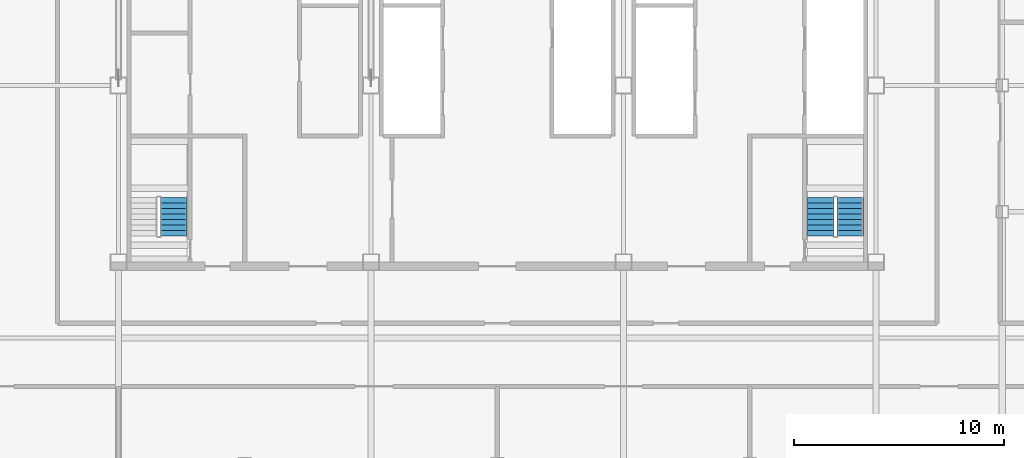
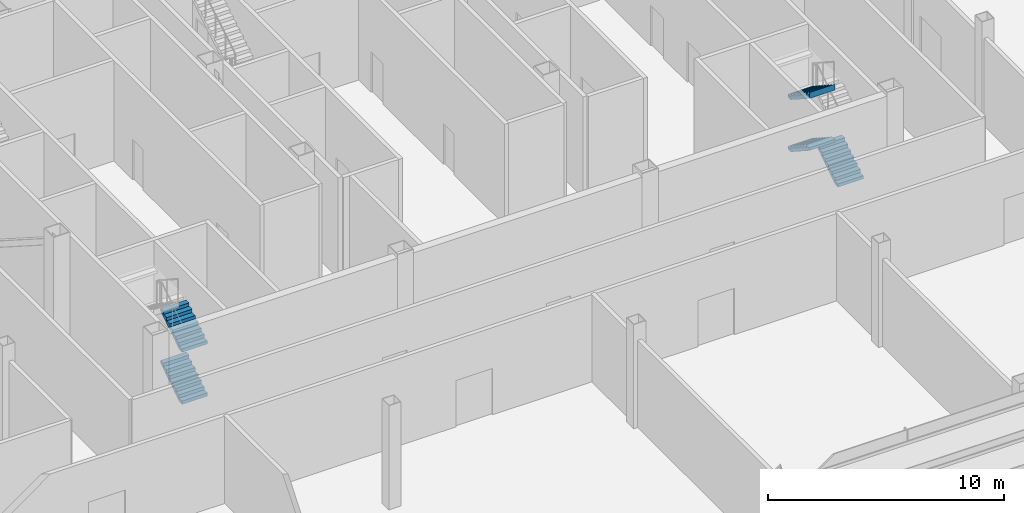
# One storey, part 21 of 25: 5 stair flights, 2 elements without a shape of their own.
"""IFC4 building model written with IfcOpenShell, lengths in metres."""

import ifcopenshell
import ifcopenshell.guid

model = None  # the IFC model being written
_history = None  # IfcOwnerHistory: only IFC2X3 demands one
_inside = {}  # id of a spatial element -> (the spatial element, [elements in it])
_under = {}  # id of a project, library or spatial element -> (it, [spatial elements below it])
_declared = {}  # id of a project -> (the project, [libraries it declares])
_typed = {}  # id of a type object -> (the type object, [elements of that type])
_made_of = {}  # id of a material, layer set ... -> (it, [elements and type objects made of it])


def new_model(schema):
    """Start an empty IFC model of exactly this schema.

    Asked for "IFC4X3", IfcOpenShell would pick the latest addendum, in which some entities
    have other attributes; the version numbers below select the first issue.
    IFC2X3 requires an IfcOwnerHistory on every rooted entity: one is made here for all.
    """
    global model, _history
    if schema == "IFC4X3":
        model = ifcopenshell.file(schema_version=(4, 3, 0, 0))
    else:
        model = ifcopenshell.file(schema=schema)
    _inside.clear()
    _under.clear()
    _declared.clear()
    _typed.clear()
    _made_of.clear()
    _history = None
    if model.schema == "IFC2X3":
        org = make("IfcOrganization", Name="unknown")
        user = make(
            "IfcPersonAndOrganization",
            ThePerson=make("IfcPerson", FamilyName="unknown"),
            TheOrganization=org,
        )
        app = make(
            "IfcApplication",
            ApplicationDeveloper=org,
            Version="unknown",
            ApplicationFullName="unknown",
            ApplicationIdentifier="unknown",
        )
        _history = make(
            "IfcOwnerHistory",
            OwningUser=user,
            OwningApplication=app,
            ChangeAction="ADDED",
            CreationDate=0,
        )
    return model


def make(cls, **values):
    """One entity of the class cls with the attributes given. An attribute that is None is left unset."""
    return model.create_entity(
        cls, **{name: value for name, value in values.items() if value is not None}
    )


def rooted(cls, **values):
    """An entity with a GlobalId (a new one), such as an element, a storey or a relation."""
    return make(cls, GlobalId=ifcopenshell.guid.new(), OwnerHistory=_history, **values)


def si_unit(unit_type, name, prefix=None):
    """IfcSIUnit, for example si_unit("LENGTHUNIT", "METRE", prefix="MILLI")."""
    return make("IfcSIUnit", UnitType=unit_type, Prefix=prefix, Name=name)


def assignment(units):
    """IfcUnitAssignment: the units of a project."""
    return None if units is None else make("IfcUnitAssignment", Units=units)


def point(xyz):
    """IfcCartesianPoint."""
    return None if xyz is None else make("IfcCartesianPoint", Coordinates=xyz)


def direction(xyz):
    """IfcDirection."""
    return None if xyz is None else make("IfcDirection", DirectionRatios=xyz)


def frame(location, z_axis=None, x_axis=None):
    """IfcAxis2Placement3D, a coordinate frame: its origin and axes. An axis left out is left unset."""
    return make(
        "IfcAxis2Placement3D",
        Location=point(location),
        Axis=direction(z_axis),
        RefDirection=direction(x_axis),
    )


def origin():
    """The frame at (0, 0, 0) with its axes left unset."""
    return frame((0.0, 0.0, 0.0))


def place(relative_to, where):
    """IfcLocalPlacement: puts the frame where relative to a parent placement (None: the world)."""
    return make(
        "IfcLocalPlacement", PlacementRelTo=relative_to, RelativePlacement=where
    )


def context(
    kind, dimensions, precision=None, world=None, true_north=None, identifier=None
):
    """IfcGeometricRepresentationContext, for example the 3D "Model" context."""
    return make(
        "IfcGeometricRepresentationContext",
        ContextIdentifier=identifier,
        ContextType=kind,
        CoordinateSpaceDimension=dimensions,
        Precision=precision,
        WorldCoordinateSystem=world,
        TrueNorth=true_north,
    )


def subcontext(parent, identifier, kind, view, scale=None):
    """IfcGeometricRepresentationSubContext, for example "Body" below "Model"."""
    return make(
        "IfcGeometricRepresentationSubContext",
        ContextIdentifier=identifier,
        ContextType=kind,
        ParentContext=parent,
        TargetScale=scale,
        TargetView=view,
    )


def project(units=None, contexts=None):
    """IfcProject with its units and contexts."""
    return rooted(
        "IfcProject",
        Name="project",
        RepresentationContexts=contexts,
        UnitsInContext=assignment(units),
    )


def spatial(cls, under=None, at=None, **own):
    """A site, building, storey or space (cls), placed at a placement, below another one or the project."""
    s = rooted(cls, ObjectPlacement=at, **own)
    if under is not None:
        _under.setdefault(under.id(), (under, []))[1].append(s)
    return s


def polyline(points):
    """IfcPolyline through the points."""
    return make("IfcPolyline", Points=[point(p) for p in points])


def outline(outer, holes=None, kind="AREA"):
    """IfcArbitraryClosedProfileDef: a profile drawn as a closed curve; with holes, ...WithVoids."""
    if holes is None:
        return make("IfcArbitraryClosedProfileDef", ProfileType=kind, OuterCurve=outer)
    return make(
        "IfcArbitraryProfileDefWithVoids",
        ProfileType=kind,
        OuterCurve=outer,
        InnerCurves=holes,
    )


def extrude(swept, where, along, depth):
    """IfcExtrudedAreaSolid: the profile swept, set in the frame where, extruded along a direction by depth."""
    return make(
        "IfcExtrudedAreaSolid",
        SweptArea=swept,
        Position=where,
        ExtrudedDirection=direction(along),
        Depth=depth,
    )


def shape(context_of_items, identifier, shape_type, items):
    """IfcShapeRepresentation: the items that make up one representation, for example the "Body"."""
    return make(
        "IfcShapeRepresentation",
        ContextOfItems=context_of_items,
        RepresentationIdentifier=identifier,
        RepresentationType=shape_type,
        Items=items,
    )


def material(Name=None, Category=None):
    """IfcMaterial."""
    return make("IfcMaterial", Name=Name, Category=Category)


def made_of(thing, what):
    """Note that an element or type object is made of a material, layer set ...; save() writes the relation."""
    if what is not None:
        _made_of.setdefault(what.id(), (what, []))[1].append(thing)
    return thing


def type_object(cls, material=None, **own):
    """A type object (cls), such as IfcWallType, which elements share."""
    return made_of(rooted(cls, **own), material)


def element(
    cls,
    number,
    at=None,
    inside=None,
    cuts=None,
    type_object=None,
    material=None,
    context=None,
    identifier="Body",
    shape_type=None,
    held_by="IfcProductDefinitionShape",
    body=None,
    shapes=None,
    **own,
):
    """One element of the class cls, such as IfcWall. Its Tag is "e" and its number.

    at: its placement. inside: the storey or other place that contains it. cuts: it is an
    opening in that element (IfcRelVoidsElement). A single representation is given by context,
    identifier, shape_type and body (its items); several are given by shapes. held_by: the class
    of the entity that holds the representations. save() writes the other relations.
    """
    e = rooted(cls, Tag="e%d" % number, ObjectPlacement=at, **own)
    if body is not None:
        shapes = [shape(context, identifier, shape_type, body)]
    if shapes is not None:
        e.Representation = make(held_by, Representations=shapes)
    if inside is not None:
        _inside.setdefault(inside.id(), (inside, []))[1].append(e)
    if cuts is not None:
        rooted(
            "IfcRelVoidsElement", RelatingBuildingElement=cuts, RelatedOpeningElement=e
        )
    if type_object is not None:
        _typed.setdefault(type_object.id(), (type_object, []))[1].append(e)
    return made_of(e, material)


def aggregate(whole, parts):
    """IfcRelAggregates: a whole, such as a stair, and the parts it consists of."""
    return rooted("IfcRelAggregates", RelatingObject=whole, RelatedObjects=parts)


def save(model, path):
    """Write the relations noted so far, then the file.

    IfcRelAggregates (storeys below a building ...), IfcRelContainedInSpatialStructure (elements
    in a storey), IfcRelDefinesByType, IfcRelAssociatesMaterial and IfcRelDeclares: one each for
    every whole, place, type object, material and project.
    """
    for whole, parts in _under.values():
        aggregate(whole, parts)
    for where, things in _inside.values():
        rooted(
            "IfcRelContainedInSpatialStructure",
            RelatedElements=things,
            RelatingStructure=where,
        )
    for kind, things in _typed.values():
        rooted("IfcRelDefinesByType", RelatedObjects=things, RelatingType=kind)
    for what, things in _made_of.values():
        rooted("IfcRelAssociatesMaterial", RelatedObjects=things, RelatingMaterial=what)
    for by, libraries in _declared.values():
        rooted("IfcRelDeclares", RelatingContext=by, RelatedDefinitions=libraries)
    model.write(path)


model = new_model("IFC4")

# Units and contexts
model_context = context("Model", 3, precision=1e-05, world=origin(), true_north=direction((0.0, 1.0)))
body_context = subcontext(model_context, "Body", "Model", "MODEL_VIEW")
ifc_project = project(units=[si_unit("LENGTHUNIT", "METRE"), si_unit("AREAUNIT", "SQUARE_METRE"), si_unit("VOLUMEUNIT", "CUBIC_METRE"), si_unit("PLANEANGLEUNIT", "RADIAN"), si_unit("MASSUNIT", "GRAM", prefix="KILO")], contexts=[model_context])

# Site, building, storey
site_placement = place(None, origin())
site = spatial("IfcSite", under=ifc_project, at=site_placement, CompositionType="ELEMENT")
building_placement = place(site_placement, origin())
building = spatial("IfcBuilding", under=site, at=building_placement, Name="Sorahane Residences", CompositionType="ELEMENT")
storey_placement = place(building_placement, frame((0.0, 0.0, 210.0)))
storey = spatial("IfcBuildingStorey", under=building, at=storey_placement, Name="L49", CompositionType="ELEMENT", Elevation=210.0)

# Stair, stair flights
ifc_material_1 = material(Name="Concrete C40", Category="concrete")
stair_type = type_object("IfcStairType", Name="Dog-leg stair 1250 Concrete C40", PredefinedType="HALF_TURN_STAIR", material=ifc_material_1)
stair_1_placement = place(storey_placement, origin())
stair_1 = element("IfcStair", 1, at=stair_1_placement, inside=storey, type_object=stair_type, Name="L49 Stair S4", PredefinedType="HALF_TURN_STAIR")
ifc_material_2 = material(Name="Concrete C40", Category="concrete")
stair_flight_type = type_object("IfcStairFlightType", Name="Stair flight 1250 Concrete C40", PredefinedType="STRAIGHT", material=ifc_material_2)
stair_flight_1_placement = place(storey_placement, frame((8.625, 22.85009765625, 0.0), z_axis=(0.0, 0.0, 1.0), x_axis=(0.0, 1.0, 0.0)))
stair_flight_1 = element("IfcStairFlight", 2, at=stair_flight_1_placement, type_object=stair_flight_type, Name="S4 flight 1", NumberOfRisers=8, NumberOfTreads=7, PredefinedType="STRAIGHT", RiserHeight=0.16875, TreadLength=0.26, context=body_context, shape_type="SweptSolid", body=[
    extrude(outline(polyline([(-0.00146484375, 0.0), (-0.00146484375, 0.002197265625), (-0.00146484375, 0.004150390625), (-0.00146484375, 0.00634765625), (-0.00146484375, 0.00830078125), (-0.00146484375, 0.010498046875), (-0.00146484375, 0.012451171875), (-0.00146484375, 0.0146484375), (-0.00146484375, 0.0166015625), (-0.00146484375, 0.018798828125), (-0.00146484375, 0.020751953125), (-0.00146484375, 0.02294921875), (-0.00146484375, 0.02490234375), (-0.00146484375, 0.027099609375), (-0.00146484375, 0.029052734375), (-0.00146484375, 0.03125), (-0.00146484375, 0.033447265625), (-0.00146484375, 0.035400390625), (-0.00146484375, 0.03759765625), (-0.00146484375, 0.03955078125), (-0.00146484375, 0.041748046875), (-0.00146484375, 0.043701171875), (-0.00146484375, 0.0458984375), (-0.00146484375, 0.0478515625), (-0.00146484375, 0.050048828125), (-0.00146484375, 0.052001953125), (-0.00146484375, 0.05419921875), (-0.00146484375, 0.05615234375), (-0.00146484375, 0.058349609375), (-0.00146484375, 0.060302734375), (-0.00146484375, 0.0625), (-0.00146484375, 0.064697265625), (-0.00146484375, 0.066650390625), (-0.00146484375, 0.06884765625), (-0.00146484375, 0.07080078125), (-0.00146484375, 0.072998046875), (-0.00146484375, 0.074951171875), (-0.00146484375, 0.0771484375), (-0.00146484375, 0.0791015625), (-0.00146484375, 0.081298828125), (-0.00146484375, 0.083251953125), (-0.00146484375, 0.08544921875), (-0.00146484375, 0.08740234375), (-0.00146484375, 0.089599609375), (-0.00146484375, 0.091552734375), (-0.00146484375, 0.09375), (-0.00146484375, 0.095947265625), (-0.00146484375, 0.097900390625), (-0.00146484375, 0.10009765625), (-0.00146484375, 0.10205078125), (-0.00146484375, 0.104248046875), (-0.00146484375, 0.106201171875), (-0.00146484375, 0.1083984375), (-0.00146484375, 0.1103515625), (-0.00146484375, 0.112548828125), (-0.00146484375, 0.114501953125), (-0.00146484375, 0.11669921875), (-0.00146484375, 0.11865234375), (-0.00146484375, 0.120849609375), (-0.00146484375, 0.122802734375), (-0.00146484375, 0.125), (-0.00146484375, 0.127197265625), (-0.00146484375, 0.129150390625), (-0.00146484375, 0.13134765625), (-0.00146484375, 0.13330078125), (-0.00146484375, 0.135498046875), (-0.00146484375, 0.137451171875), (-0.00146484375, 0.1396484375), (-0.00146484375, 0.1416015625), (-0.00146484375, 0.143798828125), (-0.00146484375, 0.145751953125), (-0.00146484375, 0.14794921875), (-0.00146484375, 0.14990234375), (-0.00146484375, 0.152099609375), (-0.00146484375, 0.154052734375), (-0.00146484375, 0.15625), (-0.00146484375, 0.158447265625), (-0.00146484375, 0.160400390625), (-0.00146484375, 0.16259765625), (-0.00146484375, 0.16455078125), (-0.00146484375, 0.166748046875), (-0.00146484375, 0.168701171875), (0.0, 0.168701171875), (0.260009765625, 0.168701171875), (0.260009765625, 0.33740234375), (0.52001953125, 0.33740234375), (0.52001953125, 0.50634765625), (0.780029296875, 0.50634765625), (0.780029296875, 0.675048828125), (1.0400390625, 0.675048828125), (1.0400390625, 0.84375), (1.300048828125, 0.84375), (1.300048828125, 1.012451171875), (1.56005859375, 1.012451171875), (1.56005859375, 1.18115234375), (1.820068359375, 1.18115234375), (1.820068359375, 1.35009765625), (1.820068359375, 1.34619140625), (1.820068359375, 1.34228515625), (1.820068359375, 1.33837890625), (1.820068359375, 1.334716796875), (1.820068359375, 1.330810546875), (1.820068359375, 1.326904296875), (1.820068359375, 1.322998046875), (1.820068359375, 1.319091796875), (1.820068359375, 1.3154296875), (1.820068359375, 1.3115234375), (1.820068359375, 1.3076171875), (1.820068359375, 1.3037109375), (1.820068359375, 1.300048828125), (1.820068359375, 1.296142578125), (1.820068359375, 1.292236328125), (1.820068359375, 1.288330078125), (1.820068359375, 1.284423828125), (1.820068359375, 1.28076171875), (1.820068359375, 1.27685546875), (1.820068359375, 1.27294921875), (1.820068359375, 1.26904296875), (1.820068359375, 1.265380859375), (1.820068359375, 1.261474609375), (1.820068359375, 1.257568359375), (1.820068359375, 1.253662109375), (1.820068359375, 1.249755859375), (1.820068359375, 1.24609375), (1.820068359375, 1.2421875), (1.820068359375, 1.23828125), (1.820068359375, 1.234375), (1.820068359375, 1.230712890625), (1.820068359375, 1.226806640625), (1.820068359375, 1.222900390625), (1.820068359375, 1.218994140625), (1.820068359375, 1.215087890625), (1.820068359375, 1.21142578125), (1.820068359375, 1.20751953125), (1.820068359375, 1.20361328125), (1.820068359375, 1.19970703125), (1.820068359375, 1.196044921875), (1.820068359375, 1.192138671875), (1.820068359375, 1.188232421875), (1.820068359375, 1.184326171875), (1.820068359375, 1.1806640625), (1.820068359375, 1.1767578125), (1.820068359375, 1.1728515625), (1.820068359375, 1.1689453125), (1.820068359375, 1.1650390625), (1.820068359375, 1.161376953125), (1.820068359375, 1.157470703125), (1.820068359375, 1.153564453125), (1.820068359375, 1.149658203125), (1.820068359375, 1.14599609375), (1.820068359375, 1.14208984375), (1.820068359375, 1.13818359375), (1.820068359375, 1.13427734375), (1.820068359375, 1.13037109375), (1.820068359375, 1.126708984375), (1.820068359375, 1.122802734375), (1.820068359375, 1.118896484375), (1.820068359375, 1.114990234375), (1.820068359375, 1.111328125), (1.820068359375, 1.107421875), (1.820068359375, 1.103515625), (1.820068359375, 1.099609375), (1.820068359375, 1.095703125), (1.820068359375, 1.092041015625), (1.820068359375, 1.088134765625), (1.820068359375, 1.084228515625), (1.820068359375, 1.080322265625), (1.820068359375, 1.07666015625), (1.820068359375, 1.07275390625), (1.820068359375, 1.06884765625), (1.820068359375, 1.06494140625), (1.820068359375, 1.061279296875), (1.820068359375, 1.057373046875), (1.820068359375, 1.053466796875), (1.820068359375, 1.049560546875), (1.820068359375, 1.045654296875), (1.820068359375, 1.0419921875), (1.820068359375, 1.0380859375), (1.642333984375, 0.922607421875), (1.464599609375, 0.807373046875), (1.286865234375, 0.692138671875), (1.109130859375, 0.57666015625), (0.931396484375, 0.46142578125), (0.753662109375, 0.345947265625), (0.575927734375, 0.230712890625), (0.3984375, 0.115234375), (0.220703125, 0.0), (-0.00146484375, 0.0)])), frame((0.0, 0.625, 0.0), z_axis=(0.0, -1.0, 0.0), x_axis=(1.0, 0.0, 0.0)), (0.0, 0.0, 1.0), 1.25),
])
stair_flight_2_placement = place(storey_placement, frame((8.625, 22.85009765625, 2.699951171875), z_axis=(0.0, 0.0, 1.0), x_axis=(0.0, 1.0, 0.0)))
stair_flight_2 = element("IfcStairFlight", 3, at=stair_flight_2_placement, type_object=stair_flight_type, Name="S4 flight 3", NumberOfRisers=8, NumberOfTreads=7, PredefinedType="STRAIGHT", RiserHeight=0.16875, TreadLength=0.26, context=body_context, shape_type="SweptSolid", body=[
    extrude(outline(polyline([(0.0, 0.0), (0.0, 0.002197265625), (0.0, 0.004150390625), (0.0, 0.00634765625), (0.0, 0.00830078125), (0.0, 0.010498046875), (0.0, 0.012451171875), (0.0, 0.0146484375), (0.0, 0.0166015625), (0.0, 0.018798828125), (0.0, 0.020751953125), (0.0, 0.02294921875), (0.0, 0.02490234375), (0.0, 0.027099609375), (0.0, 0.029052734375), (0.0, 0.03125), (0.0, 0.033447265625), (0.0, 0.035400390625), (0.0, 0.03759765625), (0.0, 0.03955078125), (0.0, 0.041748046875), (0.0, 0.043701171875), (0.0, 0.0458984375), (0.0, 0.0478515625), (0.0, 0.050048828125), (0.0, 0.052001953125), (0.0, 0.05419921875), (0.0, 0.05615234375), (0.0, 0.058349609375), (0.0, 0.060302734375), (0.0, 0.0625), (0.0, 0.064697265625), (0.0, 0.066650390625), (0.0, 0.06884765625), (0.0, 0.07080078125), (0.0, 0.072998046875), (0.0, 0.074951171875), (0.0, 0.0771484375), (0.0, 0.0791015625), (0.0, 0.081298828125), (0.0, 0.083251953125), (0.0, 0.08544921875), (0.0, 0.08740234375), (0.0, 0.089599609375), (0.0, 0.091552734375), (0.0, 0.09375), (0.0, 0.095947265625), (0.0, 0.097900390625), (0.0, 0.10009765625), (0.0, 0.10205078125), (0.0, 0.104248046875), (0.0, 0.106201171875), (0.0, 0.1083984375), (0.0, 0.1103515625), (0.0, 0.112548828125), (0.0, 0.114501953125), (0.0, 0.11669921875), (0.0, 0.11865234375), (0.0, 0.120849609375), (0.0, 0.122802734375), (0.0, 0.125), (0.0, 0.127197265625), (0.0, 0.129150390625), (0.0, 0.13134765625), (0.0, 0.13330078125), (0.0, 0.135498046875), (0.0, 0.137451171875), (0.0, 0.1396484375), (0.0, 0.1416015625), (0.0, 0.143798828125), (0.0, 0.145751953125), (0.0, 0.14794921875), (0.0, 0.14990234375), (0.0, 0.152099609375), (0.0, 0.154052734375), (0.0, 0.15625), (0.0, 0.158447265625), (0.0, 0.160400390625), (0.0, 0.16259765625), (0.0, 0.16455078125), (0.0, 0.166748046875), (0.0, 0.168701171875), (0.260009765625, 0.168701171875), (0.260009765625, 0.33740234375), (0.52001953125, 0.33740234375), (0.52001953125, 0.50634765625), (0.780029296875, 0.50634765625), (0.780029296875, 0.675048828125), (1.0400390625, 0.675048828125), (1.0400390625, 0.84375), (1.300048828125, 0.84375), (1.300048828125, 1.012451171875), (1.56005859375, 1.012451171875), (1.56005859375, 1.18115234375), (1.820068359375, 1.18115234375), (1.820068359375, 1.35009765625), (1.820068359375, 1.34619140625), (1.820068359375, 1.34228515625), (1.820068359375, 1.33837890625), (1.820068359375, 1.334716796875), (1.820068359375, 1.330810546875), (1.820068359375, 1.326904296875), (1.820068359375, 1.322998046875), (1.820068359375, 1.319091796875), (1.820068359375, 1.3154296875), (1.820068359375, 1.3115234375), (1.820068359375, 1.3076171875), (1.820068359375, 1.3037109375), (1.820068359375, 1.300048828125), (1.820068359375, 1.296142578125), (1.820068359375, 1.292236328125), (1.820068359375, 1.288330078125), (1.820068359375, 1.284423828125), (1.820068359375, 1.28076171875), (1.820068359375, 1.27685546875), (1.820068359375, 1.27294921875), (1.820068359375, 1.26904296875), (1.820068359375, 1.265380859375), (1.820068359375, 1.261474609375), (1.820068359375, 1.257568359375), (1.820068359375, 1.253662109375), (1.820068359375, 1.249755859375), (1.820068359375, 1.24609375), (1.820068359375, 1.2421875), (1.820068359375, 1.23828125), (1.820068359375, 1.234375), (1.820068359375, 1.230712890625), (1.820068359375, 1.226806640625), (1.820068359375, 1.222900390625), (1.820068359375, 1.218994140625), (1.820068359375, 1.215087890625), (1.820068359375, 1.21142578125), (1.820068359375, 1.20751953125), (1.820068359375, 1.20361328125), (1.820068359375, 1.19970703125), (1.820068359375, 1.196044921875), (1.820068359375, 1.192138671875), (1.820068359375, 1.188232421875), (1.820068359375, 1.184326171875), (1.820068359375, 1.1806640625), (1.820068359375, 1.1767578125), (1.820068359375, 1.1728515625), (1.820068359375, 1.1689453125), (1.820068359375, 1.1650390625), (1.820068359375, 1.161376953125), (1.820068359375, 1.157470703125), (1.820068359375, 1.153564453125), (1.820068359375, 1.149658203125), (1.820068359375, 1.14599609375), (1.820068359375, 1.14208984375), (1.820068359375, 1.13818359375), (1.820068359375, 1.13427734375), (1.820068359375, 1.13037109375), (1.820068359375, 1.126708984375), (1.820068359375, 1.122802734375), (1.820068359375, 1.118896484375), (1.820068359375, 1.114990234375), (1.820068359375, 1.111328125), (1.820068359375, 1.107421875), (1.820068359375, 1.103515625), (1.820068359375, 1.099609375), (1.820068359375, 1.095703125), (1.820068359375, 1.092041015625), (1.820068359375, 1.088134765625), (1.820068359375, 1.084228515625), (1.820068359375, 1.080322265625), (1.820068359375, 1.07666015625), (1.820068359375, 1.07275390625), (1.820068359375, 1.06884765625), (1.820068359375, 1.06494140625), (1.820068359375, 1.061279296875), (1.820068359375, 1.057373046875), (1.820068359375, 1.053466796875), (1.820068359375, 1.049560546875), (1.820068359375, 1.045654296875), (1.820068359375, 1.0419921875), (1.820068359375, 1.0380859375), (1.6201171875, 0.908203125), (1.420166015625, 0.778564453125), (1.22021484375, 0.648681640625), (1.020263671875, 0.51904296875), (0.8203125, 0.38916015625), (0.620361328125, 0.259521484375), (0.420654296875, 0.129638671875), (0.220703125, 0.0), (0.0, 0.0)])), frame((0.0, 0.625, 0.0), z_axis=(0.0, -1.0, 0.0), x_axis=(1.0, 0.0, 0.0)), (0.0, 0.0, 1.0), 1.25),
])
aggregate(stair_1, [stair_flight_1, stair_flight_2])

stair_2_placement = place(storey_placement, origin())
stair_2 = element("IfcStair", 4, at=stair_2_placement, inside=storey, type_object=stair_type, Name="L49 Stair S5", PredefinedType="HALF_TURN_STAIR")
stair_flight_3_placement = place(storey_placement, frame((40.77490234375, 22.85009765625, 0.0), z_axis=(0.0, 0.0, 1.0), x_axis=(0.0, 1.0, 0.0)))
stair_flight_3 = element("IfcStairFlight", 5, at=stair_flight_3_placement, type_object=stair_flight_type, Name="S5 flight 1", NumberOfRisers=8, NumberOfTreads=7, PredefinedType="STRAIGHT", RiserHeight=0.16875, TreadLength=0.26, context=body_context, shape_type="SweptSolid", body=[
    extrude(outline(polyline([(-0.00146484375, 0.0), (-0.00146484375, 0.002197265625), (-0.00146484375, 0.004150390625), (-0.00146484375, 0.00634765625), (-0.00146484375, 0.00830078125), (-0.00146484375, 0.010498046875), (-0.00146484375, 0.012451171875), (-0.00146484375, 0.0146484375), (-0.00146484375, 0.0166015625), (-0.00146484375, 0.018798828125), (-0.00146484375, 0.020751953125), (-0.00146484375, 0.02294921875), (-0.00146484375, 0.02490234375), (-0.00146484375, 0.027099609375), (-0.00146484375, 0.029052734375), (-0.00146484375, 0.03125), (-0.00146484375, 0.033447265625), (-0.00146484375, 0.035400390625), (-0.00146484375, 0.03759765625), (-0.00146484375, 0.03955078125), (-0.00146484375, 0.041748046875), (-0.00146484375, 0.043701171875), (-0.00146484375, 0.0458984375), (-0.00146484375, 0.0478515625), (-0.00146484375, 0.050048828125), (-0.00146484375, 0.052001953125), (-0.00146484375, 0.05419921875), (-0.00146484375, 0.05615234375), (-0.00146484375, 0.058349609375), (-0.00146484375, 0.060302734375), (-0.00146484375, 0.0625), (-0.00146484375, 0.064697265625), (-0.00146484375, 0.066650390625), (-0.00146484375, 0.06884765625), (-0.00146484375, 0.07080078125), (-0.00146484375, 0.072998046875), (-0.00146484375, 0.074951171875), (-0.00146484375, 0.0771484375), (-0.00146484375, 0.0791015625), (-0.00146484375, 0.081298828125), (-0.00146484375, 0.083251953125), (-0.00146484375, 0.08544921875), (-0.00146484375, 0.08740234375), (-0.00146484375, 0.089599609375), (-0.00146484375, 0.091552734375), (-0.00146484375, 0.09375), (-0.00146484375, 0.095947265625), (-0.00146484375, 0.097900390625), (-0.00146484375, 0.10009765625), (-0.00146484375, 0.10205078125), (-0.00146484375, 0.104248046875), (-0.00146484375, 0.106201171875), (-0.00146484375, 0.1083984375), (-0.00146484375, 0.1103515625), (-0.00146484375, 0.112548828125), (-0.00146484375, 0.114501953125), (-0.00146484375, 0.11669921875), (-0.00146484375, 0.11865234375), (-0.00146484375, 0.120849609375), (-0.00146484375, 0.122802734375), (-0.00146484375, 0.125), (-0.00146484375, 0.127197265625), (-0.00146484375, 0.129150390625), (-0.00146484375, 0.13134765625), (-0.00146484375, 0.13330078125), (-0.00146484375, 0.135498046875), (-0.00146484375, 0.137451171875), (-0.00146484375, 0.1396484375), (-0.00146484375, 0.1416015625), (-0.00146484375, 0.143798828125), (-0.00146484375, 0.145751953125), (-0.00146484375, 0.14794921875), (-0.00146484375, 0.14990234375), (-0.00146484375, 0.152099609375), (-0.00146484375, 0.154052734375), (-0.00146484375, 0.15625), (-0.00146484375, 0.158447265625), (-0.00146484375, 0.160400390625), (-0.00146484375, 0.16259765625), (-0.00146484375, 0.16455078125), (-0.00146484375, 0.166748046875), (-0.00146484375, 0.168701171875), (0.0, 0.168701171875), (0.260009765625, 0.168701171875), (0.260009765625, 0.33740234375), (0.52001953125, 0.33740234375), (0.52001953125, 0.50634765625), (0.780029296875, 0.50634765625), (0.780029296875, 0.675048828125), (1.0400390625, 0.675048828125), (1.0400390625, 0.84375), (1.300048828125, 0.84375), (1.300048828125, 1.012451171875), (1.56005859375, 1.012451171875), (1.56005859375, 1.18115234375), (1.820068359375, 1.18115234375), (1.820068359375, 1.35009765625), (1.820068359375, 1.34619140625), (1.820068359375, 1.34228515625), (1.820068359375, 1.33837890625), (1.820068359375, 1.334716796875), (1.820068359375, 1.330810546875), (1.820068359375, 1.326904296875), (1.820068359375, 1.322998046875), (1.820068359375, 1.319091796875), (1.820068359375, 1.3154296875), (1.820068359375, 1.3115234375), (1.820068359375, 1.3076171875), (1.820068359375, 1.3037109375), (1.820068359375, 1.300048828125), (1.820068359375, 1.296142578125), (1.820068359375, 1.292236328125), (1.820068359375, 1.288330078125), (1.820068359375, 1.284423828125), (1.820068359375, 1.28076171875), (1.820068359375, 1.27685546875), (1.820068359375, 1.27294921875), (1.820068359375, 1.26904296875), (1.820068359375, 1.265380859375), (1.820068359375, 1.261474609375), (1.820068359375, 1.257568359375), (1.820068359375, 1.253662109375), (1.820068359375, 1.249755859375), (1.820068359375, 1.24609375), (1.820068359375, 1.2421875), (1.820068359375, 1.23828125), (1.820068359375, 1.234375), (1.820068359375, 1.230712890625), (1.820068359375, 1.226806640625), (1.820068359375, 1.222900390625), (1.820068359375, 1.218994140625), (1.820068359375, 1.215087890625), (1.820068359375, 1.21142578125), (1.820068359375, 1.20751953125), (1.820068359375, 1.20361328125), (1.820068359375, 1.19970703125), (1.820068359375, 1.196044921875), (1.820068359375, 1.192138671875), (1.820068359375, 1.188232421875), (1.820068359375, 1.184326171875), (1.820068359375, 1.1806640625), (1.820068359375, 1.1767578125), (1.820068359375, 1.1728515625), (1.820068359375, 1.1689453125), (1.820068359375, 1.1650390625), (1.820068359375, 1.161376953125), (1.820068359375, 1.157470703125), (1.820068359375, 1.153564453125), (1.820068359375, 1.149658203125), (1.820068359375, 1.14599609375), (1.820068359375, 1.14208984375), (1.820068359375, 1.13818359375), (1.820068359375, 1.13427734375), (1.820068359375, 1.13037109375), (1.820068359375, 1.126708984375), (1.820068359375, 1.122802734375), (1.820068359375, 1.118896484375), (1.820068359375, 1.114990234375), (1.820068359375, 1.111328125), (1.820068359375, 1.107421875), (1.820068359375, 1.103515625), (1.820068359375, 1.099609375), (1.820068359375, 1.095703125), (1.820068359375, 1.092041015625), (1.820068359375, 1.088134765625), (1.820068359375, 1.084228515625), (1.820068359375, 1.080322265625), (1.820068359375, 1.07666015625), (1.820068359375, 1.07275390625), (1.820068359375, 1.06884765625), (1.820068359375, 1.06494140625), (1.820068359375, 1.061279296875), (1.820068359375, 1.057373046875), (1.820068359375, 1.053466796875), (1.820068359375, 1.049560546875), (1.820068359375, 1.045654296875), (1.820068359375, 1.0419921875), (1.820068359375, 1.0380859375), (1.642333984375, 0.922607421875), (1.464599609375, 0.807373046875), (1.286865234375, 0.692138671875), (1.109130859375, 0.57666015625), (0.931396484375, 0.46142578125), (0.753662109375, 0.345947265625), (0.575927734375, 0.230712890625), (0.3984375, 0.115234375), (0.220703125, 0.0), (-0.00146484375, 0.0)])), frame((0.0, 0.625, 0.0), z_axis=(0.0, -1.0, 0.0), x_axis=(1.0, 0.0, 0.0)), (0.0, 0.0, 1.0), 1.25),
])
stair_flight_4_placement = place(storey_placement, frame((39.375, 24.669921875, 1.35009765625), z_axis=(0.0, 0.0, 1.0), x_axis=(0.0, -1.0, 0.0)))
stair_flight_4 = element("IfcStairFlight", 6, at=stair_flight_4_placement, type_object=stair_flight_type, Name="S5 flight 2", NumberOfRisers=8, NumberOfTreads=7, PredefinedType="STRAIGHT", RiserHeight=0.16875, TreadLength=0.26, context=body_context, shape_type="SweptSolid", body=[
    extrude(outline(polyline([(0.0, 0.0), (0.0, 0.002197265625), (0.0, 0.004150390625), (0.0, 0.00634765625), (0.0, 0.00830078125), (0.0, 0.010498046875), (0.0, 0.012451171875), (0.0, 0.0146484375), (0.0, 0.0166015625), (0.0, 0.018798828125), (0.0, 0.020751953125), (0.0, 0.02294921875), (0.0, 0.02490234375), (0.0, 0.027099609375), (0.0, 0.029052734375), (0.0, 0.03125), (0.0, 0.033447265625), (0.0, 0.035400390625), (0.0, 0.03759765625), (0.0, 0.03955078125), (0.0, 0.041748046875), (0.0, 0.043701171875), (0.0, 0.0458984375), (0.0, 0.0478515625), (0.0, 0.050048828125), (0.0, 0.052001953125), (0.0, 0.05419921875), (0.0, 0.05615234375), (0.0, 0.058349609375), (0.0, 0.060302734375), (0.0, 0.0625), (0.0, 0.064697265625), (0.0, 0.066650390625), (0.0, 0.06884765625), (0.0, 0.07080078125), (0.0, 0.072998046875), (0.0, 0.074951171875), (0.0, 0.0771484375), (0.0, 0.0791015625), (0.0, 0.081298828125), (0.0, 0.083251953125), (0.0, 0.08544921875), (0.0, 0.08740234375), (0.0, 0.089599609375), (0.0, 0.091552734375), (0.0, 0.09375), (0.0, 0.095947265625), (0.0, 0.097900390625), (0.0, 0.10009765625), (0.0, 0.10205078125), (0.0, 0.104248046875), (0.0, 0.106201171875), (0.0, 0.1083984375), (0.0, 0.1103515625), (0.0, 0.112548828125), (0.0, 0.114501953125), (0.0, 0.11669921875), (0.0, 0.11865234375), (0.0, 0.120849609375), (0.0, 0.122802734375), (0.0, 0.125), (0.0, 0.127197265625), (0.0, 0.129150390625), (0.0, 0.13134765625), (0.0, 0.13330078125), (0.0, 0.135498046875), (0.0, 0.137451171875), (0.0, 0.1396484375), (0.0, 0.1416015625), (0.0, 0.143798828125), (0.0, 0.145751953125), (0.0, 0.14794921875), (0.0, 0.14990234375), (0.0, 0.152099609375), (0.0, 0.154052734375), (0.0, 0.15625), (0.0, 0.158447265625), (0.0, 0.160400390625), (0.0, 0.16259765625), (0.0, 0.16455078125), (0.0, 0.166748046875), (0.0, 0.168701171875), (0.260009765625, 0.168701171875), (0.260009765625, 0.33740234375), (0.52001953125, 0.33740234375), (0.52001953125, 0.50634765625), (0.780029296875, 0.50634765625), (0.780029296875, 0.675048828125), (1.0400390625, 0.675048828125), (1.0400390625, 0.84375), (1.300048828125, 0.84375), (1.300048828125, 1.012451171875), (1.56005859375, 1.012451171875), (1.56005859375, 1.18115234375), (1.820068359375, 1.18115234375), (1.820068359375, 1.35009765625), (1.820068359375, 1.34619140625), (1.820068359375, 1.34228515625), (1.820068359375, 1.33837890625), (1.820068359375, 1.334716796875), (1.820068359375, 1.330810546875), (1.820068359375, 1.326904296875), (1.820068359375, 1.322998046875), (1.820068359375, 1.319091796875), (1.820068359375, 1.3154296875), (1.820068359375, 1.3115234375), (1.820068359375, 1.3076171875), (1.820068359375, 1.3037109375), (1.820068359375, 1.300048828125), (1.820068359375, 1.296142578125), (1.820068359375, 1.292236328125), (1.820068359375, 1.288330078125), (1.820068359375, 1.284423828125), (1.820068359375, 1.28076171875), (1.820068359375, 1.27685546875), (1.820068359375, 1.27294921875), (1.820068359375, 1.26904296875), (1.820068359375, 1.265380859375), (1.820068359375, 1.261474609375), (1.820068359375, 1.257568359375), (1.820068359375, 1.253662109375), (1.820068359375, 1.249755859375), (1.820068359375, 1.24609375), (1.820068359375, 1.2421875), (1.820068359375, 1.23828125), (1.820068359375, 1.234375), (1.820068359375, 1.230712890625), (1.820068359375, 1.226806640625), (1.820068359375, 1.222900390625), (1.820068359375, 1.218994140625), (1.820068359375, 1.215087890625), (1.820068359375, 1.21142578125), (1.820068359375, 1.20751953125), (1.820068359375, 1.20361328125), (1.820068359375, 1.19970703125), (1.820068359375, 1.196044921875), (1.820068359375, 1.192138671875), (1.820068359375, 1.188232421875), (1.820068359375, 1.184326171875), (1.820068359375, 1.1806640625), (1.820068359375, 1.1767578125), (1.820068359375, 1.1728515625), (1.820068359375, 1.1689453125), (1.820068359375, 1.1650390625), (1.820068359375, 1.161376953125), (1.820068359375, 1.157470703125), (1.820068359375, 1.153564453125), (1.820068359375, 1.149658203125), (1.820068359375, 1.14599609375), (1.820068359375, 1.14208984375), (1.820068359375, 1.13818359375), (1.820068359375, 1.13427734375), (1.820068359375, 1.13037109375), (1.820068359375, 1.126708984375), (1.820068359375, 1.122802734375), (1.820068359375, 1.118896484375), (1.820068359375, 1.114990234375), (1.820068359375, 1.111328125), (1.820068359375, 1.107421875), (1.820068359375, 1.103515625), (1.820068359375, 1.099609375), (1.820068359375, 1.095703125), (1.820068359375, 1.092041015625), (1.820068359375, 1.088134765625), (1.820068359375, 1.084228515625), (1.820068359375, 1.080322265625), (1.820068359375, 1.07666015625), (1.820068359375, 1.07275390625), (1.820068359375, 1.06884765625), (1.820068359375, 1.06494140625), (1.820068359375, 1.061279296875), (1.820068359375, 1.057373046875), (1.820068359375, 1.053466796875), (1.820068359375, 1.049560546875), (1.820068359375, 1.045654296875), (1.820068359375, 1.0419921875), (1.820068359375, 1.0380859375), (1.6201171875, 0.908203125), (1.420166015625, 0.778564453125), (1.22021484375, 0.648681640625), (1.020263671875, 0.51904296875), (0.8203125, 0.38916015625), (0.620361328125, 0.259521484375), (0.420654296875, 0.129638671875), (0.220703125, 0.0), (0.0, 0.0)])), frame((0.0, 0.625, 0.0), z_axis=(0.0, -1.0, 0.0), x_axis=(1.0, 0.0, 0.0)), (0.0, 0.0, 1.0), 1.25),
])
stair_flight_5_placement = place(storey_placement, frame((39.375, 24.669921875, 4.050048828125), z_axis=(0.0, 0.0, 1.0), x_axis=(0.0, -1.0, 0.0)))
stair_flight_5 = element("IfcStairFlight", 7, at=stair_flight_5_placement, type_object=stair_flight_type, Name="S5 flight 4", NumberOfRisers=8, NumberOfTreads=7, PredefinedType="STRAIGHT", RiserHeight=0.16875, TreadLength=0.26, context=body_context, shape_type="SweptSolid", body=[
    extrude(outline(polyline([(0.0, 0.0), (0.0, 0.002197265625), (0.0, 0.004150390625), (0.0, 0.00634765625), (0.0, 0.00830078125), (0.0, 0.010498046875), (0.0, 0.012451171875), (0.0, 0.0146484375), (0.0, 0.0166015625), (0.0, 0.018798828125), (0.0, 0.020751953125), (0.0, 0.02294921875), (0.0, 0.02490234375), (0.0, 0.027099609375), (0.0, 0.029052734375), (0.0, 0.03125), (0.0, 0.033447265625), (0.0, 0.035400390625), (0.0, 0.03759765625), (0.0, 0.03955078125), (0.0, 0.041748046875), (0.0, 0.043701171875), (0.0, 0.0458984375), (0.0, 0.0478515625), (0.0, 0.050048828125), (0.0, 0.052001953125), (0.0, 0.05419921875), (0.0, 0.05615234375), (0.0, 0.058349609375), (0.0, 0.060302734375), (0.0, 0.0625), (0.0, 0.064697265625), (0.0, 0.066650390625), (0.0, 0.06884765625), (0.0, 0.07080078125), (0.0, 0.072998046875), (0.0, 0.074951171875), (0.0, 0.0771484375), (0.0, 0.0791015625), (0.0, 0.081298828125), (0.0, 0.083251953125), (0.0, 0.08544921875), (0.0, 0.08740234375), (0.0, 0.089599609375), (0.0, 0.091552734375), (0.0, 0.09375), (0.0, 0.095947265625), (0.0, 0.097900390625), (0.0, 0.10009765625), (0.0, 0.10205078125), (0.0, 0.104248046875), (0.0, 0.106201171875), (0.0, 0.1083984375), (0.0, 0.1103515625), (0.0, 0.112548828125), (0.0, 0.114501953125), (0.0, 0.11669921875), (0.0, 0.11865234375), (0.0, 0.120849609375), (0.0, 0.122802734375), (0.0, 0.125), (0.0, 0.127197265625), (0.0, 0.129150390625), (0.0, 0.13134765625), (0.0, 0.13330078125), (0.0, 0.135498046875), (0.0, 0.137451171875), (0.0, 0.1396484375), (0.0, 0.1416015625), (0.0, 0.143798828125), (0.0, 0.145751953125), (0.0, 0.14794921875), (0.0, 0.14990234375), (0.0, 0.152099609375), (0.0, 0.154052734375), (0.0, 0.15625), (0.0, 0.158447265625), (0.0, 0.160400390625), (0.0, 0.16259765625), (0.0, 0.16455078125), (0.0, 0.166748046875), (0.0, 0.168701171875), (0.260009765625, 0.168701171875), (0.260009765625, 0.33740234375), (0.52001953125, 0.33740234375), (0.52001953125, 0.50634765625), (0.780029296875, 0.50634765625), (0.780029296875, 0.675048828125), (1.0400390625, 0.675048828125), (1.0400390625, 0.84375), (1.300048828125, 0.84375), (1.300048828125, 1.012451171875), (1.56005859375, 1.012451171875), (1.56005859375, 1.18115234375), (1.820068359375, 1.18115234375), (1.820068359375, 1.35009765625), (1.821533203125, 1.35009765625), (1.821533203125, 1.34619140625), (1.821533203125, 1.34228515625), (1.821533203125, 1.33837890625), (1.821533203125, 1.334716796875), (1.821533203125, 1.330810546875), (1.821533203125, 1.326904296875), (1.821533203125, 1.322998046875), (1.821533203125, 1.319091796875), (1.821533203125, 1.3154296875), (1.821533203125, 1.3115234375), (1.821533203125, 1.3076171875), (1.821533203125, 1.3037109375), (1.821533203125, 1.300048828125), (1.821533203125, 1.296142578125), (1.821533203125, 1.292236328125), (1.821533203125, 1.288330078125), (1.821533203125, 1.284423828125), (1.821533203125, 1.28076171875), (1.821533203125, 1.27685546875), (1.821533203125, 1.27294921875), (1.821533203125, 1.26904296875), (1.821533203125, 1.265380859375), (1.821533203125, 1.261474609375), (1.821533203125, 1.257568359375), (1.821533203125, 1.253662109375), (1.821533203125, 1.249755859375), (1.821533203125, 1.24609375), (1.821533203125, 1.2421875), (1.821533203125, 1.23828125), (1.821533203125, 1.234375), (1.821533203125, 1.230712890625), (1.821533203125, 1.226806640625), (1.821533203125, 1.222900390625), (1.821533203125, 1.218994140625), (1.821533203125, 1.215087890625), (1.821533203125, 1.21142578125), (1.821533203125, 1.20751953125), (1.821533203125, 1.20361328125), (1.821533203125, 1.19970703125), (1.821533203125, 1.196044921875), (1.821533203125, 1.192138671875), (1.821533203125, 1.188232421875), (1.821533203125, 1.184326171875), (1.821533203125, 1.1806640625), (1.821533203125, 1.1767578125), (1.821533203125, 1.1728515625), (1.821533203125, 1.1689453125), (1.821533203125, 1.1650390625), (1.821533203125, 1.161376953125), (1.821533203125, 1.157470703125), (1.821533203125, 1.153564453125), (1.821533203125, 1.149658203125), (1.821533203125, 1.14599609375), (1.821533203125, 1.14208984375), (1.821533203125, 1.13818359375), (1.821533203125, 1.13427734375), (1.821533203125, 1.13037109375), (1.821533203125, 1.126708984375), (1.821533203125, 1.122802734375), (1.821533203125, 1.118896484375), (1.821533203125, 1.114990234375), (1.821533203125, 1.111328125), (1.821533203125, 1.107421875), (1.821533203125, 1.103515625), (1.821533203125, 1.099609375), (1.821533203125, 1.095703125), (1.821533203125, 1.092041015625), (1.821533203125, 1.088134765625), (1.821533203125, 1.084228515625), (1.821533203125, 1.080322265625), (1.821533203125, 1.07666015625), (1.821533203125, 1.07275390625), (1.821533203125, 1.06884765625), (1.821533203125, 1.06494140625), (1.821533203125, 1.061279296875), (1.821533203125, 1.057373046875), (1.821533203125, 1.053466796875), (1.821533203125, 1.049560546875), (1.821533203125, 1.045654296875), (1.821533203125, 1.0419921875), (1.821533203125, 1.0380859375), (1.6435546875, 0.922607421875), (1.4658203125, 0.807373046875), (1.287841796875, 0.692138671875), (1.110107421875, 0.57666015625), (0.93212890625, 0.46142578125), (0.754150390625, 0.345947265625), (0.576416015625, 0.230712890625), (0.3984375, 0.115234375), (0.220703125, 0.0), (0.0, 0.0)])), frame((0.0, 0.625, 0.0), z_axis=(0.0, -1.0, 0.0), x_axis=(1.0, 0.0, 0.0)), (0.0, 0.0, 1.0), 1.25),
])
aggregate(stair_2, [stair_flight_3, stair_flight_4, stair_flight_5])

save(model, "model.ifc")
